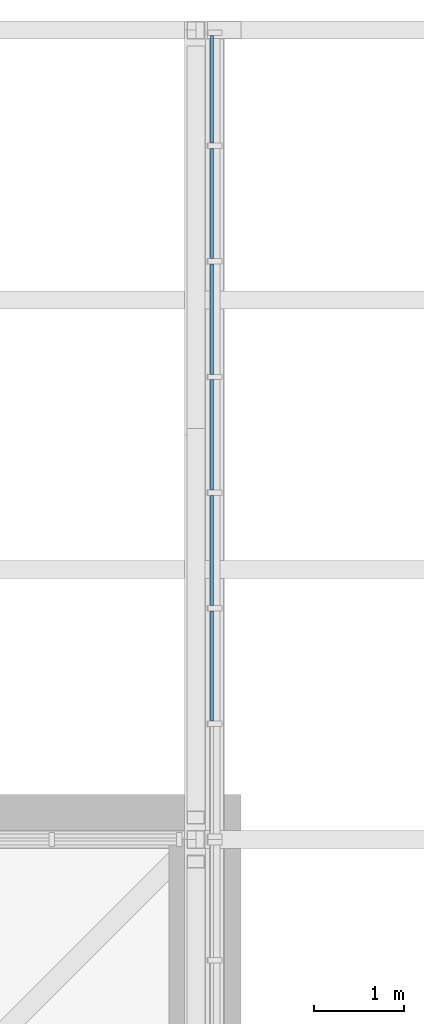
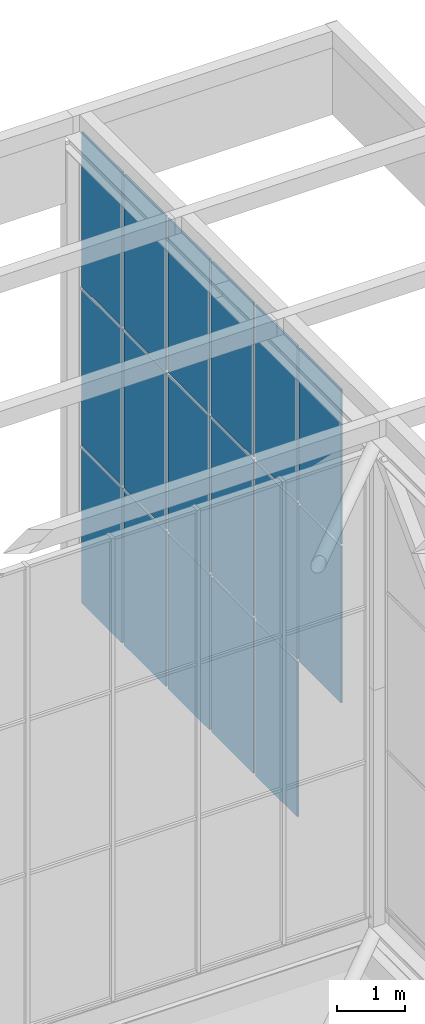
# One storey, part 164 of 646: 17 plates, 1 element without a shape of its own.
"""IFC4 building model written with IfcOpenShell, lengths in metres."""

from ifc_helpers import new_model, si_unit, direction, frame, origin, origin_2d, place, context, subcontext, project, spatial, rectangle, extrude, material, layer, layer_set, type_object, element, aggregate, save


model = new_model("IFC4")

# Units and contexts
model_context = context("Model", 3, precision=1e-05, world=origin(), true_north=direction((0.0, 1.0)))
body_context = subcontext(model_context, "Body", "Model", "MODEL_VIEW")
ifc_project = project(units=[si_unit("LENGTHUNIT", "METRE"), si_unit("AREAUNIT", "SQUARE_METRE"), si_unit("VOLUMEUNIT", "CUBIC_METRE"), si_unit("PLANEANGLEUNIT", "RADIAN"), si_unit("MASSUNIT", "GRAM", prefix="KILO")], contexts=[model_context])

# Site, building, storey
site_placement = place(None, origin())
site = spatial("IfcSite", under=ifc_project, at=site_placement, CompositionType="ELEMENT")
building_placement = place(site_placement, origin())
building = spatial("IfcBuilding", under=site, at=building_placement, Name="Silverbay Arena", CompositionType="ELEMENT")
storey_placement = place(building_placement, frame((0.0, 0.0, 33.5)))
storey = spatial("IfcBuildingStorey", under=building, at=storey_placement, Name="L05", CompositionType="ELEMENT", Elevation=33.5)

# Curtain wall, plates
ifc_material_1 = material(Name="Aluminium framed glazing", Category="aluminium")
curtain_wall_type = type_object("IfcCurtainWallType", Name="Curtain wall clerestory 9000 x 8547", PredefinedType="NOTDEFINED", material=ifc_material_1)
curtain_wall_placement = place(storey_placement, origin())
curtain_wall = element("IfcCurtainWall", 1, at=curtain_wall_placement, inside=storey, type_object=curtain_wall_type, Name="ROOF GABLE CLERESTORY CURTAIN WALL east bay 16", PredefinedType="NOTDEFINED")
ifc_material_2 = material(Name="Laminated glass", Category="glass")
ifc_layer = layer(ifc_material_2, 0.028076171875)
ifc_layer_set = layer_set([ifc_layer], Name="Laminated glass")
plate_type = type_object("IfcPlateType", Name="Glass panel 28", PredefinedType="CURTAIN_PANEL", material=ifc_layer_set)
plate_1_placement = place(storey_placement, frame((207.179931640625, 145.928466796875, 7.327392578125), z_axis=(0.0, 0.0, 1.0), x_axis=(0.0, 1.0, 0.0)))
plate_1 = element("IfcPlate", 2, at=plate_1_placement, type_object=plate_type, Name="CW57 panel 2.2", PredefinedType="CURTAIN_PANEL", context=body_context, shape_type="SweptSolid", body=[
    extrude(rectangle(XDim=1.225830078125, YDim=0.028076171875, at=origin_2d()), origin(), (0.0, 0.0, 1.0), 2.798828125),
])
plate_2_placement = place(storey_placement, frame((207.179931640625, 145.928466796875, 10.176025390625), z_axis=(0.0, 0.0, 1.0), x_axis=(0.0, 1.0, 0.0)))
plate_2 = element("IfcPlate", 3, at=plate_2_placement, type_object=plate_type, Name="CW57 panel 2.3", PredefinedType="CURTAIN_PANEL", context=body_context, shape_type="SweptSolid", body=[
    extrude(rectangle(XDim=1.225830078125, YDim=0.028076171875, at=origin_2d()), origin(), (0.0, 0.0, 1.0), 2.77392578125),
])
plate_3_placement = place(storey_placement, frame((207.179931640625, 147.21435546875, 4.50341796875), z_axis=(0.0, 0.0, 1.0), x_axis=(0.0, 1.0, 0.0)))
plate_3 = element("IfcPlate", 4, at=plate_3_placement, type_object=plate_type, Name="CW57 panel 3.1", PredefinedType="CURTAIN_PANEL", context=body_context, shape_type="SweptSolid", body=[
    extrude(rectangle(XDim=1.225830078125, YDim=0.028076171875, at=origin_2d()), origin(), (0.0, 0.0, 1.0), 2.77392578125),
])
plate_4_placement = place(storey_placement, frame((207.179931640625, 147.21435546875, 7.327392578125), z_axis=(0.0, 0.0, 1.0), x_axis=(0.0, 1.0, 0.0)))
plate_4 = element("IfcPlate", 5, at=plate_4_placement, type_object=plate_type, Name="CW57 panel 3.2", PredefinedType="CURTAIN_PANEL", context=body_context, shape_type="SweptSolid", body=[
    extrude(rectangle(XDim=1.225830078125, YDim=0.028076171875, at=origin_2d()), origin(), (0.0, 0.0, 1.0), 2.798828125),
])
plate_5_placement = place(storey_placement, frame((207.179931640625, 147.21435546875, 10.176025390625), z_axis=(0.0, 0.0, 1.0), x_axis=(0.0, 1.0, 0.0)))
plate_5 = element("IfcPlate", 6, at=plate_5_placement, type_object=plate_type, Name="CW57 panel 3.3", PredefinedType="CURTAIN_PANEL", context=body_context, shape_type="SweptSolid", body=[
    extrude(rectangle(XDim=1.225830078125, YDim=0.028076171875, at=origin_2d()), origin(), (0.0, 0.0, 1.0), 2.77392578125),
])
plate_6_placement = place(storey_placement, frame((207.179931640625, 148.5, 4.50341796875), z_axis=(0.0, 0.0, 1.0), x_axis=(0.0, 1.0, 0.0)))
plate_6 = element("IfcPlate", 7, at=plate_6_placement, type_object=plate_type, Name="CW57 panel 4.1", PredefinedType="CURTAIN_PANEL", context=body_context, shape_type="SweptSolid", body=[
    extrude(rectangle(XDim=1.225830078125, YDim=0.028076171875, at=origin_2d()), origin(), (0.0, 0.0, 1.0), 2.77392578125),
])
plate_7_placement = place(storey_placement, frame((207.179931640625, 148.5, 7.327392578125), z_axis=(0.0, 0.0, 1.0), x_axis=(0.0, 1.0, 0.0)))
plate_7 = element("IfcPlate", 8, at=plate_7_placement, type_object=plate_type, Name="CW57 panel 4.2", PredefinedType="CURTAIN_PANEL", context=body_context, shape_type="SweptSolid", body=[
    extrude(rectangle(XDim=1.225830078125, YDim=0.028076171875, at=origin_2d()), origin(), (0.0, 0.0, 1.0), 2.798828125),
])
plate_8_placement = place(storey_placement, frame((207.179931640625, 148.5, 10.176025390625), z_axis=(0.0, 0.0, 1.0), x_axis=(0.0, 1.0, 0.0)))
plate_8 = element("IfcPlate", 9, at=plate_8_placement, type_object=plate_type, Name="CW57 panel 4.3", PredefinedType="CURTAIN_PANEL", context=body_context, shape_type="SweptSolid", body=[
    extrude(rectangle(XDim=1.225830078125, YDim=0.028076171875, at=origin_2d()), origin(), (0.0, 0.0, 1.0), 2.77392578125),
])
plate_9_placement = place(storey_placement, frame((207.179931640625, 149.78564453125, 4.50341796875), z_axis=(0.0, 0.0, 1.0), x_axis=(0.0, 1.0, 0.0)))
plate_9 = element("IfcPlate", 10, at=plate_9_placement, type_object=plate_type, Name="CW57 panel 5.1", PredefinedType="CURTAIN_PANEL", context=body_context, shape_type="SweptSolid", body=[
    extrude(rectangle(XDim=1.225830078125, YDim=0.028076171875, at=origin_2d()), origin(), (0.0, 0.0, 1.0), 2.77392578125),
])
plate_10_placement = place(storey_placement, frame((207.179931640625, 149.78564453125, 7.327392578125), z_axis=(0.0, 0.0, 1.0), x_axis=(0.0, 1.0, 0.0)))
plate_10 = element("IfcPlate", 11, at=plate_10_placement, type_object=plate_type, Name="CW57 panel 5.2", PredefinedType="CURTAIN_PANEL", context=body_context, shape_type="SweptSolid", body=[
    extrude(rectangle(XDim=1.225830078125, YDim=0.028076171875, at=origin_2d()), origin(), (0.0, 0.0, 1.0), 2.798828125),
])
plate_11_placement = place(storey_placement, frame((207.179931640625, 149.78564453125, 10.176025390625), z_axis=(0.0, 0.0, 1.0), x_axis=(0.0, 1.0, 0.0)))
plate_11 = element("IfcPlate", 12, at=plate_11_placement, type_object=plate_type, Name="CW57 panel 5.3", PredefinedType="CURTAIN_PANEL", context=body_context, shape_type="SweptSolid", body=[
    extrude(rectangle(XDim=1.225830078125, YDim=0.028076171875, at=origin_2d()), origin(), (0.0, 0.0, 1.0), 2.77392578125),
])
plate_12_placement = place(storey_placement, frame((207.179931640625, 151.071533203125, 4.50341796875), z_axis=(0.0, 0.0, 1.0), x_axis=(0.0, 1.0, 0.0)))
plate_12 = element("IfcPlate", 13, at=plate_12_placement, type_object=plate_type, Name="CW57 panel 6.1", PredefinedType="CURTAIN_PANEL", context=body_context, shape_type="SweptSolid", body=[
    extrude(rectangle(XDim=1.225830078125, YDim=0.028076171875, at=origin_2d()), origin(), (0.0, 0.0, 1.0), 2.77392578125),
])
plate_13_placement = place(storey_placement, frame((207.179931640625, 151.071533203125, 7.327392578125), z_axis=(0.0, 0.0, 1.0), x_axis=(0.0, 1.0, 0.0)))
plate_13 = element("IfcPlate", 14, at=plate_13_placement, type_object=plate_type, Name="CW57 panel 6.2", PredefinedType="CURTAIN_PANEL", context=body_context, shape_type="SweptSolid", body=[
    extrude(rectangle(XDim=1.225830078125, YDim=0.028076171875, at=origin_2d()), origin(), (0.0, 0.0, 1.0), 2.798828125),
])
plate_14_placement = place(storey_placement, frame((207.179931640625, 151.071533203125, 10.176025390625), z_axis=(0.0, 0.0, 1.0), x_axis=(0.0, 1.0, 0.0)))
plate_14 = element("IfcPlate", 15, at=plate_14_placement, type_object=plate_type, Name="CW57 panel 6.3", PredefinedType="CURTAIN_PANEL", context=body_context, shape_type="SweptSolid", body=[
    extrude(rectangle(XDim=1.225830078125, YDim=0.028076171875, at=origin_2d()), origin(), (0.0, 0.0, 1.0), 2.77392578125),
])
plate_15_placement = place(storey_placement, frame((207.179931640625, 152.342041015625, 4.50341796875), z_axis=(0.0, 0.0, 1.0), x_axis=(0.0, 1.0, 0.0)))
plate_15 = element("IfcPlate", 16, at=plate_15_placement, type_object=plate_type, Name="CW57 panel 7.1", PredefinedType="CURTAIN_PANEL", context=body_context, shape_type="SweptSolid", body=[
    extrude(rectangle(XDim=1.19580078125, YDim=0.028076171875, at=origin_2d()), origin(), (0.0, 0.0, 1.0), 2.77392578125),
])
plate_16_placement = place(storey_placement, frame((207.179931640625, 152.342041015625, 7.327392578125), z_axis=(0.0, 0.0, 1.0), x_axis=(0.0, 1.0, 0.0)))
plate_16 = element("IfcPlate", 17, at=plate_16_placement, type_object=plate_type, Name="CW57 panel 7.2", PredefinedType="CURTAIN_PANEL", context=body_context, shape_type="SweptSolid", body=[
    extrude(rectangle(XDim=1.19580078125, YDim=0.028076171875, at=origin_2d()), origin(), (0.0, 0.0, 1.0), 2.798828125),
])
plate_17_placement = place(storey_placement, frame((207.179931640625, 152.342041015625, 10.176025390625), z_axis=(0.0, 0.0, 1.0), x_axis=(0.0, 1.0, 0.0)))
plate_17 = element("IfcPlate", 18, at=plate_17_placement, type_object=plate_type, Name="CW57 panel 7.3", PredefinedType="CURTAIN_PANEL", context=body_context, shape_type="SweptSolid", body=[
    extrude(rectangle(XDim=1.19580078125, YDim=0.028076171875, at=origin_2d()), origin(), (0.0, 0.0, 1.0), 2.77392578125),
])
aggregate(curtain_wall, [plate_1, plate_2, plate_3, plate_4, plate_5, plate_6, plate_7, plate_8, plate_9, plate_10, plate_11, plate_12, plate_13, plate_14, plate_15, plate_16, plate_17])

save(model, "model.ifc")
